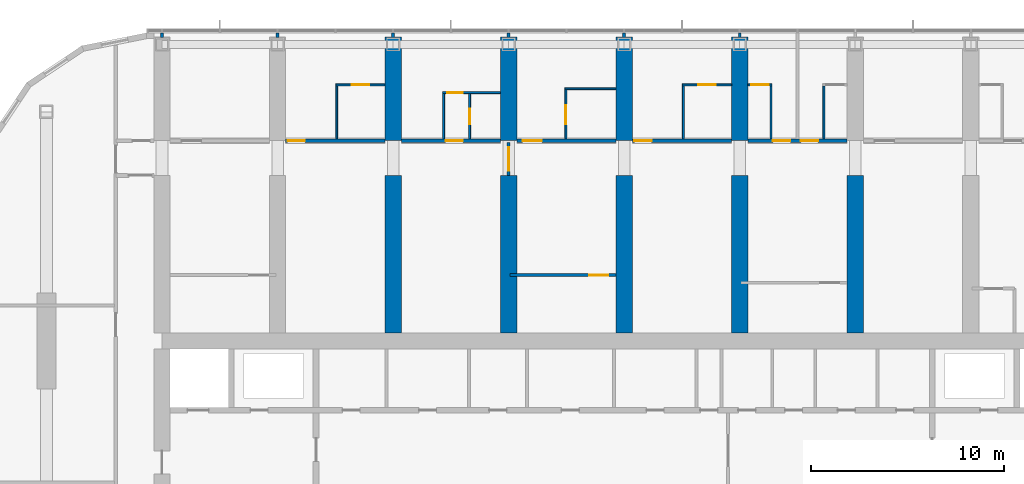
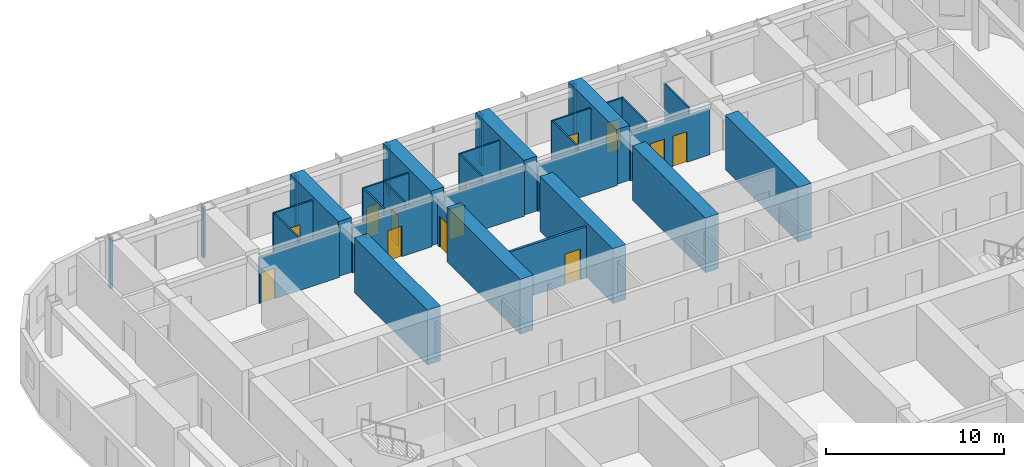
# One storey, part 16 of 23: 34 walls, 14 doors, 14 openings.
"""IFC4 building model written with IfcOpenShell, lengths in metres."""

from ifc_helpers import new_model, si_unit, direction, frame, frame_2d, origin, place, context, subcontext, project, spatial, polyline, rectangle, outline, extrude, material, layer, layer_set, type_object, element, fill, save


model = new_model("IFC4")

# Units and contexts
model_context = context("Model", 3, precision=1e-05, world=origin(), true_north=direction((0.0, 1.0)))
body_context = subcontext(model_context, "Body", "Model", "MODEL_VIEW")
ifc_project = project(units=[si_unit("LENGTHUNIT", "METRE"), si_unit("AREAUNIT", "SQUARE_METRE"), si_unit("VOLUMEUNIT", "CUBIC_METRE"), si_unit("PLANEANGLEUNIT", "RADIAN"), si_unit("MASSUNIT", "GRAM", prefix="KILO")], contexts=[model_context])

# Site, building, storey
site_placement = place(None, origin())
site = spatial("IfcSite", under=ifc_project, at=site_placement, CompositionType="ELEMENT")
building_placement = place(site_placement, origin())
building = spatial("IfcBuilding", under=site, at=building_placement, Name="Orbita Commons", CompositionType="ELEMENT")
storey_placement = place(building_placement, frame((0.0, 0.0, 171.10009765625)))
storey = spatial("IfcBuildingStorey", under=building, at=storey_placement, Name="L42", CompositionType="ELEMENT", Elevation=171.10009765625)

# Wall, opening, door
ifc_material_1 = material(Name="Concrete blockwork", Category="masonry")
ifc_layer_1 = layer(ifc_material_1, 0.199951171875)
ifc_layer_set_1 = layer_set([ifc_layer_1], Name="Concrete blockwork")
wall_type_1 = type_object("IfcWallType", Name="Corridor wall 200 blockwork", PredefinedType="SOLIDWALL", material=ifc_layer_set_1)
wall_1_placement = place(storey_placement, frame((24.425048828125, 48.60009765625, 0.0), z_axis=(0.0, 0.0, 1.0), x_axis=(1.0, 0.0, 0.0)))
wall_1 = element("IfcWall", 1, at=wall_1_placement, inside=storey, type_object=wall_type_1, Name="Corridor wall 200 blockwork L42", PredefinedType="SOLIDWALL", context=body_context, shape_type="SweptSolid", body=[
    extrude(outline(polyline([(0.0, 0.0), (5.14990234375, 0.0), (5.14990234375, 3.099853515625), (0.0, 3.099853515625), (0.0, 0.0)])), frame((0.0, 0.10009765625, 0.0), z_axis=(0.0, -1.0, 0.0), x_axis=(1.0, 0.0, 0.0)), (0.0, 0.0, 1.0), 0.199951171875),
])
opening_1_placement = place(wall_1_placement, frame((0.10009765625, 0.0, 0.0)))
opening_1 = element("IfcOpeningElement", 2, at=opening_1_placement, cuts=wall_1, Name="Opening D11", PredefinedType="OPENING", context=body_context, shape_type="SweptSolid", body=[
    extrude(rectangle(XDim=0.89990234375, YDim=2.10009765625, at=frame_2d((0.449951171875, 1.050048828125))), frame((0.0, 0.10986328125, 0.0), z_axis=(0.0, -1.0, 0.0), x_axis=(1.0, 0.0, 0.0)), (0.0, 0.0, 1.0), 0.219970703125),
])
ifc_material_2 = material(Name="Steel-faced fire door leaf", Category="steel")
door_type_1 = type_object("IfcDoorType", Name="Corridor door 20 min 900x2100", OperationType="SINGLE_SWING_LEFT", PredefinedType="DOOR", material=ifc_material_2)
door_1_placement = place(opening_1_placement, origin())
door_1 = element("IfcDoor", 3, at=door_1_placement, inside=storey, type_object=door_type_1, Name="Twin room L42-N02 door", OperationType="SINGLE_SWING_LEFT", OverallHeight=2.10009765625, OverallWidth=0.89990234375, PredefinedType="DOOR", context=body_context, shape_type="SweptSolid", body=[
    extrude(rectangle(XDim=0.89990234375, YDim=2.10009765625, at=frame_2d((0.449951171875, 1.050048828125))), frame((0.0, 0.02490234375, 0.0), z_axis=(0.0, -1.0, 0.0), x_axis=(1.0, 0.0, 0.0)), (0.0, 0.0, 1.0), 0.050048828125),
])
fill(opening_1, door_1)

wall_2_placement = place(storey_placement, frame((30.425048828125, 48.60009765625, 0.0), z_axis=(0.0, 0.0, 1.0), x_axis=(1.0, 0.0, 0.0)))
wall_2 = element("IfcWall", 4, at=wall_2_placement, inside=storey, type_object=wall_type_1, Name="Corridor wall 200 blockwork L42", PredefinedType="SOLIDWALL", context=body_context, shape_type="SweptSolid", body=[
    extrude(outline(polyline([(0.0, 0.0), (5.14990234375, 0.0), (5.14990234375, 3.099853515625), (0.0, 3.099853515625), (0.0, 0.0)])), frame((0.0, 0.10009765625, 0.0), z_axis=(0.0, -1.0, 0.0), x_axis=(1.0, 0.0, 0.0)), (0.0, 0.0, 1.0), 0.199951171875),
])
opening_2_placement = place(wall_2_placement, frame((2.300048828125, 0.0, 0.0)))
opening_2 = element("IfcOpeningElement", 5, at=opening_2_placement, cuts=wall_2, Name="Opening D11", PredefinedType="OPENING", context=body_context, shape_type="SweptSolid", body=[
    extrude(rectangle(XDim=0.89990234375, YDim=2.10009765625, at=frame_2d((0.449951171875, 1.050048828125))), frame((0.0, 0.10986328125, 0.0), z_axis=(0.0, -1.0, 0.0), x_axis=(1.0, 0.0, 0.0)), (0.0, 0.0, 1.0), 0.219970703125),
])
door_2_placement = place(opening_2_placement, origin())
door_2 = element("IfcDoor", 6, at=door_2_placement, inside=storey, type_object=door_type_1, Name="Studio flat L42-N04 entrance door", OperationType="SINGLE_SWING_LEFT", OverallHeight=2.10009765625, OverallWidth=0.89990234375, PredefinedType="DOOR", context=body_context, shape_type="SweptSolid", body=[
    extrude(rectangle(XDim=0.89990234375, YDim=2.10009765625, at=frame_2d((0.449951171875, 1.050048828125))), frame((0.0, 0.02490234375, 0.0), z_axis=(0.0, -1.0, 0.0), x_axis=(1.0, 0.0, 0.0)), (0.0, 0.0, 1.0), 0.050048828125),
])
fill(opening_2, door_2)

wall_3_placement = place(storey_placement, frame((36.425048828125, 48.60009765625, 0.0), z_axis=(0.0, 0.0, 1.0), x_axis=(1.0, 0.0, 0.0)))
wall_3 = element("IfcWall", 7, at=wall_3_placement, inside=storey, type_object=wall_type_1, Name="Corridor wall 200 blockwork L42", PredefinedType="SOLIDWALL", context=body_context, shape_type="SweptSolid", body=[
    extrude(outline(polyline([(0.0, 0.0), (5.14990234375, 0.0), (5.14990234375, 3.099853515625), (0.0, 3.099853515625), (0.0, 0.0)])), frame((0.0, 0.10009765625, 0.0), z_axis=(0.0, -1.0, 0.0), x_axis=(1.0, 0.0, 0.0)), (0.0, 0.0, 1.0), 0.199951171875),
])
opening_3_placement = place(wall_3_placement, frame((0.300048828125, 0.0, 0.0)))
opening_3 = element("IfcOpeningElement", 8, at=opening_3_placement, cuts=wall_3, Name="Opening D06", PredefinedType="OPENING", context=body_context, shape_type="SweptSolid", body=[
    extrude(rectangle(XDim=1.0, YDim=2.10009765625, at=frame_2d((0.5, 1.050048828125))), frame((0.0, 0.10986328125, 0.0), z_axis=(0.0, -1.0, 0.0), x_axis=(1.0, 0.0, 0.0)), (0.0, 0.0, 1.0), 0.219970703125),
])
ifc_material_3 = material(Name="Steel-faced fire door leaf", Category="steel")
door_type_2 = type_object("IfcDoorType", Name="Corridor door 20 min 1000x2100", OperationType="SINGLE_SWING_LEFT", PredefinedType="DOOR", material=ifc_material_3)
door_3_placement = place(opening_3_placement, origin())
door_3 = element("IfcDoor", 9, at=door_3_placement, inside=storey, type_object=door_type_2, Name="Accessible bedroom L42-N06 door", OperationType="SINGLE_SWING_LEFT", OverallHeight=2.10009765625, OverallWidth=1.0, PredefinedType="DOOR", context=body_context, shape_type="SweptSolid", body=[
    extrude(rectangle(XDim=1.0, YDim=2.10009765625, at=frame_2d((0.5, 1.050048828125))), frame((0.0, 0.02490234375, 0.0), z_axis=(0.0, -1.0, 0.0), x_axis=(1.0, 0.0, 0.0)), (0.0, 0.0, 1.0), 0.050048828125),
])
fill(opening_3, door_3)

wall_4_placement = place(storey_placement, frame((42.425048828125, 48.60009765625, 0.0), z_axis=(0.0, 0.0, 1.0), x_axis=(1.0, 0.0, 0.0)))
wall_4 = element("IfcWall", 10, at=wall_4_placement, inside=storey, type_object=wall_type_1, Name="Corridor wall 200 blockwork L42", PredefinedType="SOLIDWALL", context=body_context, shape_type="SweptSolid", body=[
    extrude(outline(polyline([(0.0, 0.0), (5.14990234375, 0.0), (5.14990234375, 3.099853515625), (0.0, 3.099853515625), (0.0, 0.0)])), frame((0.0, 0.10009765625, 0.0), z_axis=(0.0, -1.0, 0.0), x_axis=(1.0, 0.0, 0.0)), (0.0, 0.0, 1.0), 0.199951171875),
])
opening_4_placement = place(wall_4_placement, frame((0.10009765625, 0.0, 0.0)))
opening_4 = element("IfcOpeningElement", 11, at=opening_4_placement, cuts=wall_4, Name="Opening D11", PredefinedType="OPENING", context=body_context, shape_type="SweptSolid", body=[
    extrude(rectangle(XDim=0.89990234375, YDim=2.10009765625, at=frame_2d((0.449951171875, 1.050048828125))), frame((0.0, 0.10986328125, 0.0), z_axis=(0.0, -1.0, 0.0), x_axis=(1.0, 0.0, 0.0)), (0.0, 0.0, 1.0), 0.219970703125),
])
door_4_placement = place(opening_4_placement, origin())
door_4 = element("IfcDoor", 12, at=door_4_placement, inside=storey, type_object=door_type_1, Name="Twin room L42-N08 door", OperationType="SINGLE_SWING_LEFT", OverallHeight=2.10009765625, OverallWidth=0.89990234375, PredefinedType="DOOR", context=body_context, shape_type="SweptSolid", body=[
    extrude(rectangle(XDim=0.89990234375, YDim=2.10009765625, at=frame_2d((0.449951171875, 1.050048828125))), frame((0.0, 0.02490234375, 0.0), z_axis=(0.0, -1.0, 0.0), x_axis=(1.0, 0.0, 0.0)), (0.0, 0.0, 1.0), 0.050048828125),
])
fill(opening_4, door_4)

# Wall, openings, doors
wall_5_placement = place(storey_placement, frame((48.425048828125, 48.60009765625, 0.0), z_axis=(0.0, 0.0, 1.0), x_axis=(1.0, 0.0, 0.0)))
wall_5 = element("IfcWall", 13, at=wall_5_placement, inside=storey, type_object=wall_type_1, Name="Corridor wall 200 blockwork L42", PredefinedType="SOLIDWALL", context=body_context, shape_type="SweptSolid", body=[
    extrude(outline(polyline([(0.0, 0.0), (5.14990234375, 0.0), (5.14990234375, 3.099853515625), (0.0, 3.099853515625), (0.0, 0.0)])), frame((0.0, 0.10009765625, 0.0), z_axis=(0.0, -1.0, 0.0), x_axis=(1.0, 0.0, 0.0)), (0.0, 0.0, 1.0), 0.199951171875),
])
opening_5_placement = place(wall_5_placement, frame((1.300048828125, 0.0, 0.0)))
opening_5 = element("IfcOpeningElement", 14, at=opening_5_placement, cuts=wall_5, Name="Opening D11", PredefinedType="OPENING", context=body_context, shape_type="SweptSolid", body=[
    extrude(rectangle(XDim=0.89990234375, YDim=2.10009765625, at=frame_2d((0.449951171875, 1.050048828125))), frame((0.0, 0.10986328125, 0.0), z_axis=(0.0, -1.0, 0.0), x_axis=(1.0, 0.0, 0.0)), (0.0, 0.0, 1.0), 0.219970703125),
])
opening_6_placement = place(wall_5_placement, frame((2.75, 0.0, 0.0)))
opening_6 = element("IfcOpeningElement", 15, at=opening_6_placement, cuts=wall_5, Name="Opening D11", PredefinedType="OPENING", context=body_context, shape_type="SweptSolid", body=[
    extrude(rectangle(XDim=0.89990234375, YDim=2.10009765625, at=frame_2d((0.449951171875, 1.050048828125))), frame((0.0, 0.10986328125, 0.0), z_axis=(0.0, -1.0, 0.0), x_axis=(1.0, 0.0, 0.0)), (0.0, 0.0, 1.0), 0.219970703125),
])
door_5_placement = place(opening_5_placement, origin())
door_5 = element("IfcDoor", 16, at=door_5_placement, inside=storey, type_object=door_type_1, Name="Cluster bedroom L42-N10 door", OperationType="SINGLE_SWING_LEFT", OverallHeight=2.10009765625, OverallWidth=0.89990234375, PredefinedType="DOOR", context=body_context, shape_type="SweptSolid", body=[
    extrude(rectangle(XDim=0.89990234375, YDim=2.10009765625, at=frame_2d((0.449951171875, 1.050048828125))), frame((0.0, 0.02490234375, 0.0), z_axis=(0.0, -1.0, 0.0), x_axis=(1.0, 0.0, 0.0)), (0.0, 0.0, 1.0), 0.050048828125),
])
fill(opening_5, door_5)
door_6_placement = place(opening_6_placement, origin())
door_6 = element("IfcDoor", 17, at=door_6_placement, inside=storey, type_object=door_type_1, Name="Cluster bedroom L42-N11 door", OperationType="SINGLE_SWING_LEFT", OverallHeight=2.10009765625, OverallWidth=0.89990234375, PredefinedType="DOOR", context=body_context, shape_type="SweptSolid", body=[
    extrude(rectangle(XDim=0.89990234375, YDim=2.10009765625, at=frame_2d((0.449951171875, 1.050048828125))), frame((0.0, 0.02490234375, 0.0), z_axis=(0.0, -1.0, 0.0), x_axis=(1.0, 0.0, 0.0)), (0.0, 0.0, 1.0), 0.050048828125),
])
fill(opening_6, door_6)

# Walls
ifc_material_4 = material(Name="Concrete C50/60", Category="concrete")
ifc_layer_2 = layer(ifc_material_4, 0.85009765625)
ifc_layer_set_2 = layer_set([ifc_layer_2], Name="Concrete C50/60")
wall_type_2 = type_object("IfcWallType", Name="Cross wall 850 C50/60", PredefinedType="SHEAR", material=ifc_layer_set_2)
wall_6_placement = place(storey_placement, frame((30.0, 48.60009765625, 0.0), z_axis=(0.0, 0.0, 1.0), x_axis=(0.0, 1.0, 0.0)))
element("IfcWall", 18, at=wall_6_placement, inside=storey, type_object=wall_type_2, Name="Cross wall 6 north outer L42", PredefinedType="SHEAR", context=body_context, shape_type="SweptSolid", body=[
    extrude(rectangle(XDim=5.39990234375, YDim=0.85009765625, at=frame_2d((2.699951171875, 0.0))), origin(), (0.0, 0.0, 1.0), 3.75),
])
wall_7_placement = place(storey_placement, frame((30.0, 38.625, 0.0), z_axis=(0.0, 0.0, 1.0), x_axis=(0.0, 1.0, 0.0)))
element("IfcWall", 19, at=wall_7_placement, inside=storey, type_object=wall_type_2, Name="Cross wall 6 north inner L42", PredefinedType="SHEAR", context=body_context, shape_type="SweptSolid", body=[
    extrude(rectangle(XDim=8.175048828125, YDim=0.85009765625, at=frame_2d((4.08740234375, 0.0))), origin(), (0.0, 0.0, 1.0), 3.75),
])
wall_8_placement = place(storey_placement, frame((36.0, 48.60009765625, 0.0), z_axis=(0.0, 0.0, 1.0), x_axis=(0.0, 1.0, 0.0)))
element("IfcWall", 20, at=wall_8_placement, inside=storey, type_object=wall_type_2, Name="Cross wall 7 north outer L42", PredefinedType="SHEAR", context=body_context, shape_type="SweptSolid", body=[
    extrude(rectangle(XDim=5.39990234375, YDim=0.85009765625, at=frame_2d((2.699951171875, 0.0))), origin(), (0.0, 0.0, 1.0), 3.75),
])
wall_9_placement = place(storey_placement, frame((36.0, 38.625, 0.0), z_axis=(0.0, 0.0, 1.0), x_axis=(0.0, 1.0, 0.0)))
element("IfcWall", 21, at=wall_9_placement, inside=storey, type_object=wall_type_2, Name="Cross wall 7 north inner L42", PredefinedType="SHEAR", context=body_context, shape_type="SweptSolid", body=[
    extrude(rectangle(XDim=8.175048828125, YDim=0.85009765625, at=frame_2d((4.08740234375, 0.0))), origin(), (0.0, 0.0, 1.0), 3.75),
])
wall_10_placement = place(storey_placement, frame((42.0, 48.60009765625, 0.0), z_axis=(0.0, 0.0, 1.0), x_axis=(0.0, 1.0, 0.0)))
element("IfcWall", 22, at=wall_10_placement, inside=storey, type_object=wall_type_2, Name="Cross wall 8 north outer L42", PredefinedType="SHEAR", context=body_context, shape_type="SweptSolid", body=[
    extrude(rectangle(XDim=5.39990234375, YDim=0.85009765625, at=frame_2d((2.699951171875, 0.0))), origin(), (0.0, 0.0, 1.0), 3.75),
])
wall_11_placement = place(storey_placement, frame((42.0, 38.625, 0.0), z_axis=(0.0, 0.0, 1.0), x_axis=(0.0, 1.0, 0.0)))
element("IfcWall", 23, at=wall_11_placement, inside=storey, type_object=wall_type_2, Name="Cross wall 8 north inner L42", PredefinedType="SHEAR", context=body_context, shape_type="SweptSolid", body=[
    extrude(rectangle(XDim=8.175048828125, YDim=0.85009765625, at=frame_2d((4.08740234375, 0.0))), origin(), (0.0, 0.0, 1.0), 3.75),
])
wall_12_placement = place(storey_placement, frame((48.0, 48.60009765625, 0.0), z_axis=(0.0, 0.0, 1.0), x_axis=(0.0, 1.0, 0.0)))
element("IfcWall", 24, at=wall_12_placement, inside=storey, type_object=wall_type_2, Name="Cross wall 9 north outer L42", PredefinedType="SHEAR", context=body_context, shape_type="SweptSolid", body=[
    extrude(rectangle(XDim=5.39990234375, YDim=0.85009765625, at=frame_2d((2.699951171875, 0.0))), origin(), (0.0, 0.0, 1.0), 3.75),
])
for number, where, z_axis, x_axis, name in (
    (25, (48.0, 38.625, 0.0), (0.0, 0.0, 1.0), (0.0, 1.0, 0.0), "Cross wall 9 north inner L42"),
    (26, (54.0, 38.625, 0.0), (0.0, 0.0, 1.0), (0.0, 1.0, 0.0), "Cross wall 10 north inner L42"),
):
    element("IfcWall", number, at=place(storey_placement, frame(where, z_axis=z_axis, x_axis=x_axis)), inside=storey, type_object=wall_type_2, Name=name, PredefinedType="SHEAR", context=body_context, shape_type="SweptSolid", body=[
        extrude(rectangle(XDim=8.175048828125, YDim=0.85009765625, at=frame_2d((4.08740234375, 0.0))), origin(), (0.0, 0.0, 1.0), 3.75),
    ])

# Wall, opening, door
ifc_material_5 = material(Name="Moisture-resistant plasterboard on steel studs", Category="steel")
ifc_layer_3 = layer(ifc_material_5, 0.10009765625)
ifc_layer_set_3 = layer_set([ifc_layer_3], Name="Moisture-resistant plasterboard on steel studs")
wall_type_3 = type_object("IfcWallType", Name="En-suite partition 100", PredefinedType="PARTITIONING", material=ifc_layer_set_3)
wall_13_placement = place(storey_placement, frame((27.02490234375, 51.5, 0.0), z_axis=(0.0, 0.0, 1.0), x_axis=(1.0, 0.0, 0.0)))
wall_13 = element("IfcWall", 27, at=wall_13_placement, inside=storey, type_object=wall_type_3, Name="En-suite partition 100 L42", PredefinedType="PARTITIONING", context=body_context, shape_type="SweptSolid", body=[
    extrude(rectangle(XDim=2.550048828125, YDim=0.10009765625, at=frame_2d((1.27490234375, 0.0))), origin(), (0.0, 0.0, 1.0), 3.5),
])
opening_7_placement = place(wall_13_placement, frame((0.824951171875, 0.0, 0.0)))
opening_7 = element("IfcOpeningElement", 28, at=opening_7_placement, cuts=wall_13, Name="Opening D09", PredefinedType="OPENING", context=body_context, shape_type="SweptSolid", body=[
    extrude(rectangle(XDim=0.89990234375, YDim=2.10009765625, at=frame_2d((0.449951171875, 1.050048828125))), frame((0.0, 0.06005859375, 0.0), z_axis=(0.0, -1.0, 0.0), x_axis=(1.0, 0.0, 0.0)), (0.0, 0.0, 1.0), 0.1201171875),
])
ifc_material_6 = material(Name="Laminated timber door leaf", Category="wood")
door_type_3 = type_object("IfcDoorType", Name="En-suite door 900x2100", OperationType="SINGLE_SWING_RIGHT", PredefinedType="DOOR", material=ifc_material_6)
door_7_placement = place(opening_7_placement, origin())
door_7 = element("IfcDoor", 29, at=door_7_placement, inside=storey, type_object=door_type_3, Name="En-suite L42-N02 door", OperationType="SINGLE_SWING_RIGHT", OverallHeight=2.10009765625, OverallWidth=0.89990234375, PredefinedType="DOOR", context=body_context, shape_type="SweptSolid", body=[
    extrude(rectangle(XDim=0.89990234375, YDim=2.10009765625, at=frame_2d((0.449951171875, 1.050048828125))), frame((0.0, 0.02490234375, 0.0), z_axis=(0.0, -1.0, 0.0), x_axis=(1.0, 0.0, 0.0)), (0.0, 0.0, 1.0), 0.050048828125),
])
fill(opening_7, door_7)

# Wall
wall_14_placement = place(storey_placement, frame((27.074951171875, 51.449951171875, 0.0), z_axis=(0.0, 0.0, 1.0), x_axis=(0.0, -1.0, 0.0)))
element("IfcWall", 30, at=wall_14_placement, inside=storey, type_object=wall_type_3, Name="En-suite partition 100 L42", PredefinedType="PARTITIONING", context=body_context, shape_type="SweptSolid", body=[
    extrude(outline(polyline([(0.0, 0.0), (2.75, 0.0), (2.75, 3.099853515625), (2.701904296875, 3.099853515625), (2.699951171875, 3.5), (0.0, 3.5), (0.0, 0.0)])), frame((0.0, 0.050048828125, 0.0), z_axis=(0.0, -1.0, 0.0), x_axis=(1.0, 0.0, 0.0)), (0.0, 0.0, 1.0), 0.10009765625),
])

# Wall, opening, door
wall_15_placement = place(storey_placement, frame((32.574951171875, 51.10009765625, 0.0), z_axis=(0.0, 0.0, 1.0), x_axis=(1.0, 0.0, 0.0)))
wall_15 = element("IfcWall", 31, at=wall_15_placement, inside=storey, type_object=wall_type_3, Name="En-suite partition 100 L42", PredefinedType="PARTITIONING", context=body_context, shape_type="SweptSolid", body=[
    extrude(rectangle(XDim=3.0, YDim=0.10009765625, at=frame_2d((1.5, 0.0))), origin(), (0.0, 0.0, 1.0), 3.5),
])
opening_8_placement = place(wall_15_placement, frame((0.25, 0.0, 0.0)))
opening_8 = element("IfcOpeningElement", 32, at=opening_8_placement, cuts=wall_15, Name="Opening D16", PredefinedType="OPENING", context=body_context, shape_type="SweptSolid", body=[
    extrude(rectangle(XDim=0.800048828125, YDim=2.10009765625, at=frame_2d((0.39990234375, 1.050048828125))), frame((0.0, 0.06005859375, 0.0), z_axis=(0.0, -1.0, 0.0), x_axis=(1.0, 0.0, 0.0)), (0.0, 0.0, 1.0), 0.1201171875),
])
ifc_material_7 = material(Name="Laminated timber door leaf", Category="wood")
door_type_4 = type_object("IfcDoorType", Name="En-suite door 800x2100", OperationType="SINGLE_SWING_RIGHT", PredefinedType="DOOR", material=ifc_material_7)
door_8_placement = place(opening_8_placement, origin())
door_8 = element("IfcDoor", 33, at=door_8_placement, inside=storey, type_object=door_type_4, Name="Studio flat L42-N04 door", OperationType="SINGLE_SWING_RIGHT", OverallHeight=2.10009765625, OverallWidth=0.800048828125, PredefinedType="DOOR", context=body_context, shape_type="SweptSolid", body=[
    extrude(rectangle(XDim=0.800048828125, YDim=2.10009765625, at=frame_2d((0.39990234375, 1.050048828125))), frame((0.0, 0.02490234375, 0.0), z_axis=(0.0, -1.0, 0.0), x_axis=(1.0, 0.0, 0.0)), (0.0, 0.0, 1.0), 0.050048828125),
])
fill(opening_8, door_8)

# Wall
wall_16_placement = place(storey_placement, frame((32.625, 51.050048828125, 0.0), z_axis=(0.0, 0.0, 1.0), x_axis=(0.0, -1.0, 0.0)))
element("IfcWall", 34, at=wall_16_placement, inside=storey, type_object=wall_type_3, Name="En-suite partition 100 L42", PredefinedType="PARTITIONING", context=body_context, shape_type="SweptSolid", body=[
    extrude(outline(polyline([(0.0, 0.0), (2.35009765625, 0.0), (2.35009765625, 3.099853515625), (2.302001953125, 3.099853515625), (2.300048828125, 3.5), (0.0, 3.5), (0.0, 0.0)])), frame((0.0, 0.050048828125, 0.0), z_axis=(0.0, -1.0, 0.0), x_axis=(1.0, 0.0, 0.0)), (0.0, 0.0, 1.0), 0.10009765625),
])

# Wall, opening, door
wall_17_placement = place(storey_placement, frame((33.97509765625, 51.050048828125, 0.0), z_axis=(0.0, 0.0, 1.0), x_axis=(0.0, -1.0, 0.0)))
wall_17 = element("IfcWall", 35, at=wall_17_placement, inside=storey, type_object=wall_type_3, Name="En-suite partition 100 L42", PredefinedType="PARTITIONING", context=body_context, shape_type="SweptSolid", body=[
    extrude(outline(polyline([(0.0, 0.0), (2.35009765625, 0.0), (2.35009765625, 3.099853515625), (2.302001953125, 3.099853515625), (2.300048828125, 3.5), (0.0, 3.5), (0.0, 0.0)])), frame((0.0, 0.050048828125, 0.0), z_axis=(0.0, -1.0, 0.0), x_axis=(1.0, 0.0, 0.0)), (0.0, 0.0, 1.0), 0.10009765625),
])
opening_9_placement = place(wall_17_placement, frame((0.800048828125, 0.0, 0.0)))
opening_9 = element("IfcOpeningElement", 36, at=opening_9_placement, cuts=wall_17, Name="Opening D16", PredefinedType="OPENING", context=body_context, shape_type="SweptSolid", body=[
    extrude(rectangle(XDim=0.800048828125, YDim=2.10009765625, at=frame_2d((0.39990234375, 1.050048828125))), frame((0.0, 0.06005859375, 0.0), z_axis=(0.0, -1.0, 0.0), x_axis=(1.0, 0.0, 0.0)), (0.0, 0.0, 1.0), 0.1201171875),
])
door_9_placement = place(opening_9_placement, origin())
door_9 = element("IfcDoor", 37, at=door_9_placement, inside=storey, type_object=door_type_4, Name="Studio flat shower room L42-N04 door", OperationType="SINGLE_SWING_RIGHT", OverallHeight=2.10009765625, OverallWidth=0.800048828125, PredefinedType="DOOR", context=body_context, shape_type="SweptSolid", body=[
    extrude(rectangle(XDim=0.800048828125, YDim=2.10009765625, at=frame_2d((0.39990234375, 1.050048828125))), frame((0.0, 0.02490234375, 0.0), z_axis=(0.0, -1.0, 0.0), x_axis=(1.0, 0.0, 0.0)), (0.0, 0.0, 1.0), 0.050048828125),
])
fill(opening_9, door_9)

# Wall
wall_18_placement = place(storey_placement, frame((38.925048828125, 51.300048828125, 0.0), z_axis=(0.0, 0.0, 1.0), x_axis=(1.0, 0.0, 0.0)))
element("IfcWall", 38, at=wall_18_placement, inside=storey, type_object=wall_type_3, Name="En-suite partition 100 L42", PredefinedType="PARTITIONING", context=body_context, shape_type="SweptSolid", body=[
    extrude(rectangle(XDim=2.64990234375, YDim=0.10009765625, at=frame_2d((1.324951171875, 0.0))), origin(), (0.0, 0.0, 1.0), 3.5),
])

# Wall, opening, door
wall_19_placement = place(storey_placement, frame((38.97509765625, 51.25, 0.0), z_axis=(0.0, 0.0, 1.0), x_axis=(0.0, -1.0, 0.0)))
wall_19 = element("IfcWall", 39, at=wall_19_placement, inside=storey, type_object=wall_type_3, Name="En-suite partition 100 L42", PredefinedType="PARTITIONING", context=body_context, shape_type="SweptSolid", body=[
    extrude(outline(polyline([(0.0, 0.0), (2.550048828125, 0.0), (2.550048828125, 3.099853515625), (2.501953125, 3.099853515625), (2.5, 3.5), (0.0, 3.5), (0.0, 0.0)])), frame((0.0, 0.050048828125, 0.0), z_axis=(0.0, -1.0, 0.0), x_axis=(1.0, 0.0, 0.0)), (0.0, 0.0, 1.0), 0.10009765625),
])
opening_10_placement = place(wall_19_placement, frame((0.800048828125, 0.0, 0.0)))
opening_10 = element("IfcOpeningElement", 40, at=opening_10_placement, cuts=wall_19, Name="Opening D13", PredefinedType="OPENING", context=body_context, shape_type="SweptSolid", body=[
    extrude(rectangle(XDim=1.0, YDim=2.10009765625, at=frame_2d((0.5, 1.050048828125))), frame((0.0, 0.06005859375, 0.0), z_axis=(0.0, -1.0, 0.0), x_axis=(1.0, 0.0, 0.0)), (0.0, 0.0, 1.0), 0.1201171875),
])
ifc_material_8 = material(Name="Laminated timber door leaf", Category="wood")
door_type_5 = type_object("IfcDoorType", Name="En-suite door 1000x2100", OperationType="SINGLE_SWING_RIGHT", PredefinedType="DOOR", material=ifc_material_8)
door_10_placement = place(opening_10_placement, origin())
door_10 = element("IfcDoor", 41, at=door_10_placement, inside=storey, type_object=door_type_5, Name="Accessible shower room L42-N06 door", OperationType="SINGLE_SWING_RIGHT", OverallHeight=2.10009765625, OverallWidth=1.0, PredefinedType="DOOR", context=body_context, shape_type="SweptSolid", body=[
    extrude(rectangle(XDim=1.0, YDim=2.10009765625, at=frame_2d((0.5, 1.050048828125))), frame((0.0, 0.02490234375, 0.0), z_axis=(0.0, -1.0, 0.0), x_axis=(1.0, 0.0, 0.0)), (0.0, 0.0, 1.0), 0.050048828125),
])
fill(opening_10, door_10)

wall_20_placement = place(storey_placement, frame((45.02490234375, 51.5, 0.0), z_axis=(0.0, 0.0, 1.0), x_axis=(1.0, 0.0, 0.0)))
wall_20 = element("IfcWall", 42, at=wall_20_placement, inside=storey, type_object=wall_type_3, Name="En-suite partition 100 L42", PredefinedType="PARTITIONING", context=body_context, shape_type="SweptSolid", body=[
    extrude(rectangle(XDim=2.550048828125, YDim=0.10009765625, at=frame_2d((1.27490234375, 0.0))), origin(), (0.0, 0.0, 1.0), 3.5),
])
opening_11_placement = place(wall_20_placement, frame((0.824951171875, 0.0, 0.0)))
opening_11 = element("IfcOpeningElement", 43, at=opening_11_placement, cuts=wall_20, Name="Opening D09", PredefinedType="OPENING", context=body_context, shape_type="SweptSolid", body=[
    extrude(rectangle(XDim=0.89990234375, YDim=2.10009765625, at=frame_2d((0.449951171875, 1.050048828125))), frame((0.0, 0.06005859375, 0.0), z_axis=(0.0, -1.0, 0.0), x_axis=(1.0, 0.0, 0.0)), (0.0, 0.0, 1.0), 0.1201171875),
])
door_11_placement = place(opening_11_placement, origin())
door_11 = element("IfcDoor", 44, at=door_11_placement, inside=storey, type_object=door_type_3, Name="En-suite L42-N08 door", OperationType="SINGLE_SWING_RIGHT", OverallHeight=2.10009765625, OverallWidth=0.89990234375, PredefinedType="DOOR", context=body_context, shape_type="SweptSolid", body=[
    extrude(rectangle(XDim=0.89990234375, YDim=2.10009765625, at=frame_2d((0.449951171875, 1.050048828125))), frame((0.0, 0.02490234375, 0.0), z_axis=(0.0, -1.0, 0.0), x_axis=(1.0, 0.0, 0.0)), (0.0, 0.0, 1.0), 0.050048828125),
])
fill(opening_11, door_11)

# Wall
wall_21_placement = place(storey_placement, frame((45.074951171875, 51.449951171875, 0.0), z_axis=(0.0, 0.0, 1.0), x_axis=(0.0, -1.0, 0.0)))
element("IfcWall", 45, at=wall_21_placement, inside=storey, type_object=wall_type_3, Name="En-suite partition 100 L42", PredefinedType="PARTITIONING", context=body_context, shape_type="SweptSolid", body=[
    extrude(outline(polyline([(0.0, 0.0), (2.75, 0.0), (2.75, 3.099853515625), (2.701904296875, 3.099853515625), (2.699951171875, 3.5), (0.0, 3.5), (0.0, 0.0)])), frame((0.0, 0.050048828125, 0.0), z_axis=(0.0, -1.0, 0.0), x_axis=(1.0, 0.0, 0.0)), (0.0, 0.0, 1.0), 0.10009765625),
])

# Wall, opening, door
wall_22_placement = place(storey_placement, frame((48.425048828125, 51.5, 0.0), z_axis=(0.0, 0.0, 1.0), x_axis=(1.0, 0.0, 0.0)))
wall_22 = element("IfcWall", 46, at=wall_22_placement, inside=storey, type_object=wall_type_3, Name="En-suite partition 100 L42", PredefinedType="PARTITIONING", context=body_context, shape_type="SweptSolid", body=[
    extrude(rectangle(XDim=1.25, YDim=0.10009765625, at=frame_2d((0.625, 0.0))), origin(), (0.0, 0.0, 1.0), 3.5),
])
opening_12_placement = place(wall_22_placement, frame((0.175048828125, 0.0, 0.0)))
opening_12 = element("IfcOpeningElement", 47, at=opening_12_placement, cuts=wall_22, Name="Opening D09", PredefinedType="OPENING", context=body_context, shape_type="SweptSolid", body=[
    extrude(rectangle(XDim=0.89990234375, YDim=2.10009765625, at=frame_2d((0.449951171875, 1.050048828125))), frame((0.0, 0.06005859375, 0.0), z_axis=(0.0, -1.0, 0.0), x_axis=(1.0, 0.0, 0.0)), (0.0, 0.0, 1.0), 0.1201171875),
])
door_12_placement = place(opening_12_placement, origin())
door_12 = element("IfcDoor", 48, at=door_12_placement, inside=storey, type_object=door_type_3, Name="En-suite L42-N10 door", OperationType="SINGLE_SWING_RIGHT", OverallHeight=2.10009765625, OverallWidth=0.89990234375, PredefinedType="DOOR", context=body_context, shape_type="SweptSolid", body=[
    extrude(rectangle(XDim=0.89990234375, YDim=2.10009765625, at=frame_2d((0.449951171875, 1.050048828125))), frame((0.0, 0.02490234375, 0.0), z_axis=(0.0, -1.0, 0.0), x_axis=(1.0, 0.0, 0.0)), (0.0, 0.0, 1.0), 0.050048828125),
])
fill(opening_12, door_12)

# Walls
for number, where, z_axis, x_axis, name in (
    (49, (49.625, 51.449951171875, 0.0), (0.0, 0.0, 1.0), (0.0, -1.0, 0.0), "En-suite partition 100 L42"),
    (50, (52.375, 51.449951171875, 0.0), (0.0, 0.0, 1.0), (0.0, -1.0, 0.0), "En-suite partition 100 L42"),
):
    element("IfcWall", number, at=place(storey_placement, frame(where, z_axis=z_axis, x_axis=x_axis)), inside=storey, type_object=wall_type_3, Name=name, PredefinedType="PARTITIONING", context=body_context, shape_type="SweptSolid", body=[
        extrude(outline(polyline([(0.0, 0.0), (2.75, 0.0), (2.75, 3.099853515625), (2.701904296875, 3.099853515625), (2.699951171875, 3.5), (0.0, 3.5), (0.0, 0.0)])), frame((0.0, 0.050048828125, 0.0), z_axis=(0.0, -1.0, 0.0), x_axis=(1.0, 0.0, 0.0)), (0.0, 0.0, 1.0), 0.10009765625),
    ])

# Wall, opening, door
ifc_material_9 = material(Name="Gypsum plasterboard on steel studs", Category="steel")
ifc_layer_4 = layer(ifc_material_9, 0.14990234375)
ifc_layer_set_4 = layer_set([ifc_layer_4], Name="Gypsum plasterboard on steel studs")
wall_type_4 = type_object("IfcWallType", Name="Partition 150 plasterboard", PredefinedType="PARTITIONING", material=ifc_layer_set_4)
wall_23_placement = place(storey_placement, frame((41.574951171875, 41.625, 0.0), z_axis=(0.0, 0.0, 1.0), x_axis=(-1.0, 0.0, 0.0)))
wall_23 = element("IfcWall", 51, at=wall_23_placement, inside=storey, type_object=wall_type_4, Name="Partition 150 plasterboard L42", PredefinedType="PARTITIONING", context=body_context, shape_type="SweptSolid", body=[
    extrude(rectangle(XDim=5.5, YDim=0.14990234375, at=frame_2d((2.75, 0.0))), origin(), (0.0, 0.0, 1.0), 3.5),
])
opening_13_placement = place(wall_23_placement, frame((0.39990234375, 0.0, 0.0)))
opening_13 = element("IfcOpeningElement", 52, at=opening_13_placement, cuts=wall_23, Name="Opening D17", PredefinedType="OPENING", context=body_context, shape_type="SweptSolid", body=[
    extrude(rectangle(XDim=1.0, YDim=2.10009765625, at=frame_2d((0.5, 1.050048828125))), frame((0.0, 0.0849609375, 0.0), z_axis=(0.0, -1.0, 0.0), x_axis=(1.0, 0.0, 0.0)), (0.0, 0.0, 1.0), 0.169921875),
])
ifc_material_10 = material(Name="Steel-faced fire door leaf", Category="steel")
door_type_6 = type_object("IfcDoorType", Name="Shaft access door 90 min 1000x2100", OperationType="SINGLE_SWING_LEFT", PredefinedType="DOOR", material=ifc_material_10)
door_13_placement = place(opening_13_placement, origin())
door_13 = element("IfcDoor", 53, at=door_13_placement, inside=storey, type_object=door_type_6, Name="Ventilation plant room north L42-BDN36 door", OperationType="SINGLE_SWING_LEFT", OverallHeight=2.10009765625, OverallWidth=1.0, PredefinedType="DOOR", context=body_context, shape_type="SweptSolid", body=[
    extrude(rectangle(XDim=1.0, YDim=2.10009765625, at=frame_2d((0.5, 1.050048828125))), frame((0.0, 0.02490234375, 0.0), z_axis=(0.0, -1.0, 0.0), x_axis=(1.0, 0.0, 0.0)), (0.0, 0.0, 1.0), 0.050048828125),
])
fill(opening_13, door_13)

wall_24_placement = place(storey_placement, frame((36.0, 46.800048828125, 0.0), z_axis=(0.0, 0.0, 1.0), x_axis=(0.0, 1.0, 0.0)))
wall_24 = element("IfcWall", 54, at=wall_24_placement, inside=storey, type_object=wall_type_4, Name="Partition 150 plasterboard L42", PredefinedType="PARTITIONING", context=body_context, shape_type="SweptSolid", body=[
    extrude(outline(polyline([(0.0, 0.0), (1.699951171875, 0.0), (1.699951171875, 3.099853515625), (0.0, 3.099853515625), (0.0, 0.0)])), frame((0.0, 0.074951171875, 0.0), z_axis=(0.0, -1.0, 0.0), x_axis=(1.0, 0.0, 0.0)), (0.0, 0.0, 1.0), 0.14990234375),
])
opening_14_placement = place(wall_24_placement, frame((0.25, 0.0, 0.0)))
opening_14 = element("IfcOpeningElement", 55, at=opening_14_placement, cuts=wall_24, Name="Opening D12", PredefinedType="OPENING", context=body_context, shape_type="SweptSolid", body=[
    extrude(rectangle(XDim=1.199951171875, YDim=2.10009765625, at=frame_2d((0.60009765625, 1.050048828125))), frame((0.0, 0.0849609375, 0.0), z_axis=(0.0, -1.0, 0.0), x_axis=(1.0, 0.0, 0.0)), (0.0, 0.0, 1.0), 0.169921875),
])
ifc_material_11 = material(Name="Steel-faced fire door leaf", Category="steel")
door_type_7 = type_object("IfcDoorType", Name="Double corridor door 20 min 1200x2100", OperationType="DOUBLE_DOOR_SINGLE_SWING", PredefinedType="DOOR", material=ifc_material_11)
door_14_placement = place(opening_14_placement, origin())
door_14 = element("IfcDoor", 56, at=door_14_placement, inside=storey, type_object=door_type_7, Name="Social spine north screen doors", OperationType="DOUBLE_DOOR_SINGLE_SWING", OverallHeight=2.10009765625, OverallWidth=1.199951171875, PredefinedType="DOOR", context=body_context, shape_type="SweptSolid", body=[
    extrude(rectangle(XDim=1.199951171875, YDim=2.10009765625, at=frame_2d((0.60009765625, 1.050048828125))), frame((0.0, 0.02490234375, 0.0), z_axis=(0.0, -1.0, 0.0), x_axis=(1.0, 0.0, 0.0)), (0.0, 0.0, 1.0), 0.050048828125),
])
fill(opening_14, door_14)

# Walls
for number, where, z_axis, x_axis, name in (
    (57, (18.0, 53.949951171875, 0.0), (0.0, 0.0, 1.0), (0.0, 1.0, 0.0), "Partition 150 plasterboard L42"),
    (58, (24.0, 53.949951171875, 0.0), (0.0, 0.0, 1.0), (0.0, 1.0, 0.0), "Partition 150 plasterboard L42"),
    (59, (30.0, 53.949951171875, 0.0), (0.0, 0.0, 1.0), (0.0, 1.0, 0.0), "Partition 150 plasterboard L42"),
    (60, (36.0, 53.949951171875, 0.0), (0.0, 0.0, 1.0), (0.0, 1.0, 0.0), "Partition 150 plasterboard L42"),
    (61, (42.0, 53.949951171875, 0.0), (0.0, 0.0, 1.0), (0.0, 1.0, 0.0), "Partition 150 plasterboard L42"),
    (62, (48.0, 53.949951171875, 0.0), (0.0, 0.0, 1.0), (0.0, 1.0, 0.0), "Partition 150 plasterboard L42"),
):
    element("IfcWall", number, at=place(storey_placement, frame(where, z_axis=z_axis, x_axis=x_axis)), inside=storey, type_object=wall_type_4, Name=name, PredefinedType="PARTITIONING", context=body_context, shape_type="SweptSolid", body=[
        extrude(rectangle(XDim=0.239990234375, YDim=0.14990234375, at=frame_2d((0.1201171875, 0.0))), origin(), (0.0, 0.0, 1.0), 3.5),
    ])

save(model, "model.ifc")
